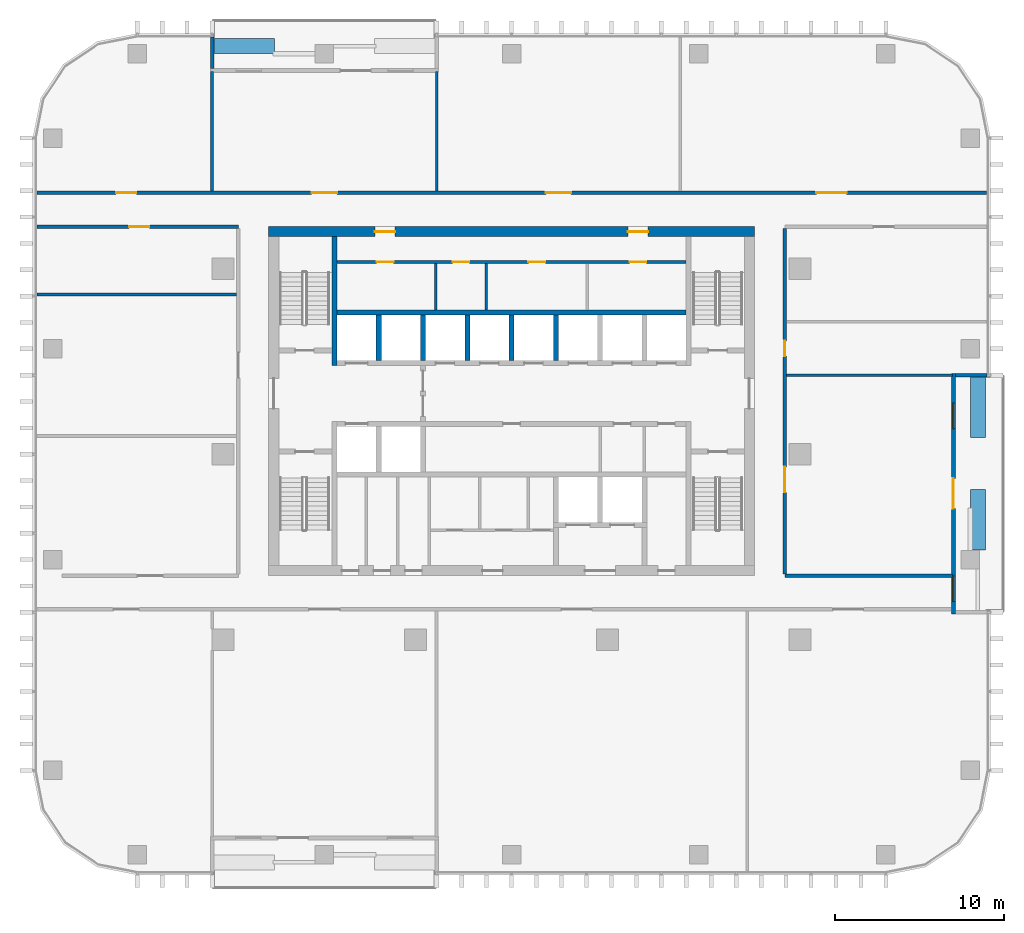
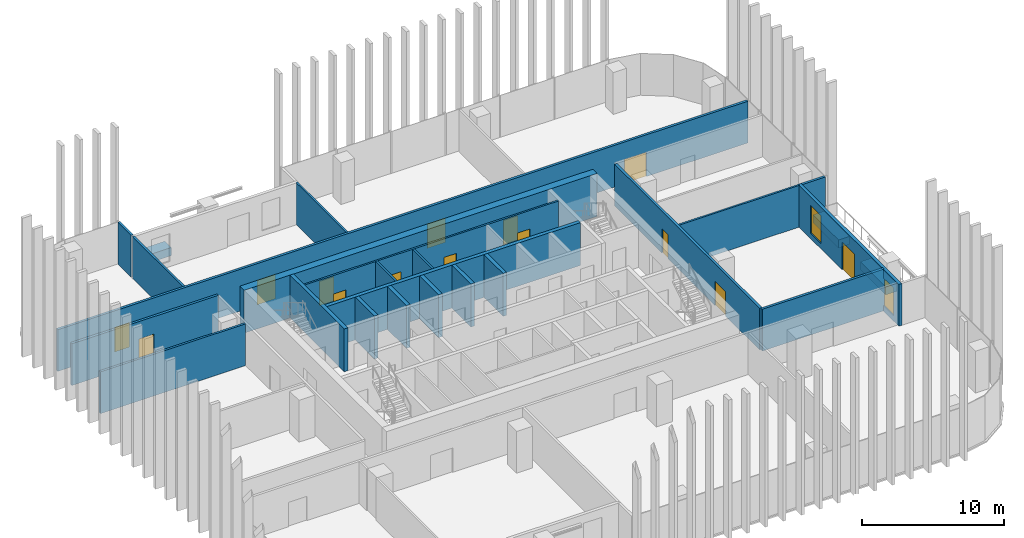
# One storey, part 9 of 15: 25 walls, 14 doors, 2 windows, 16 openings.
"""IFC4 building model written with IfcOpenShell, lengths in metres."""

from ifc_helpers import new_model, si_unit, direction, frame, frame_2d, origin, place, context, subcontext, project, spatial, rectangle, extrude, material, layer, layer_set, type_object, element, fill, save


model = new_model("IFC4")

# Units and contexts
model_context = context("Model", 3, precision=1e-05, world=origin(), true_north=direction((0.0, 1.0)))
body_context = subcontext(model_context, "Body", "Model", "MODEL_VIEW")
ifc_project = project(units=[si_unit("LENGTHUNIT", "METRE"), si_unit("AREAUNIT", "SQUARE_METRE"), si_unit("VOLUMEUNIT", "CUBIC_METRE"), si_unit("PLANEANGLEUNIT", "RADIAN"), si_unit("MASSUNIT", "GRAM", prefix="KILO")], contexts=[model_context])

# Site, building, storey
site_placement = place(None, origin())
site = spatial("IfcSite", under=ifc_project, at=site_placement, CompositionType="ELEMENT")
building_placement = place(site_placement, origin())
building = spatial("IfcBuilding", under=site, at=building_placement, Name="Mopane Tessera Tower", CompositionType="ELEMENT")
storey_placement = place(building_placement, frame((0.0, 0.0, 223.0)))
storey = spatial("IfcBuildingStorey", under=building, at=storey_placement, Name="L47", CompositionType="ELEMENT", Elevation=223.0)

# Walls
ifc_material_1 = material(Name="Fire-rated gypsum board partition")
ifc_layer_1 = layer(ifc_material_1, 0.14990234375)
ifc_layer_set_1 = layer_set([ifc_layer_1], Name="Fire-rated gypsum board partition")
wall_type_1 = type_object("IfcWallType", Name="Core room partition 150 mm", PredefinedType="PARTITIONING", material=ifc_layer_set_1)
for number, where, z_axis, x_axis, name in (
    (1, (-4.5, 8.550048828125, 0.0), (0.0, 0.0, 1.0), (0.0, 1.0, 0.0), "L47 Room partition"),
    (2, (-1.5, 8.550048828125, 0.0), (0.0, 0.0, 1.0), (0.0, 1.0, 0.0), "L47 Room partition"),
):
    element("IfcWall", number, at=place(storey_placement, frame(where, z_axis=z_axis, x_axis=x_axis)), inside=storey, type_object=wall_type_1, Name=name, PredefinedType="PARTITIONING", context=body_context, shape_type="SweptSolid", body=[
        extrude(rectangle(XDim=2.77490234375, YDim=0.14990234375, at=frame_2d((1.387451171875, 0.0))), origin(), (0.0, 0.0, 1.0), 3.699951171875),
    ])

# Wall, openings, doors
wall_1_placement = place(storey_placement, frame((-10.35009765625, 11.39990234375, 0.0), z_axis=(0.0, 0.0, 1.0), x_axis=(1.0, 0.0, 0.0)))
wall_1 = element("IfcWall", 3, at=wall_1_placement, inside=storey, type_object=wall_type_1, Name="L47 Corridor wall", PredefinedType="PARTITIONING", context=body_context, shape_type="SweptSolid", body=[
    extrude(rectangle(XDim=20.7001953125, YDim=0.14990234375, at=frame_2d((10.35009765625, 0.0))), origin(), (0.0, 0.0, 1.0), 3.699951171875),
])
opening_1_placement = place(wall_1_placement, frame((2.35009765625, 0.0, 0.0)))
opening_1 = element("IfcOpeningElement", 4, at=opening_1_placement, cuts=wall_1, Name="Opening RD1", PredefinedType="OPENING", context=body_context, shape_type="SweptSolid", body=[
    extrude(rectangle(XDim=1.0, YDim=2.10009765625, at=frame_2d((0.5, 1.050048828125))), frame((0.0, 0.0869140625, 0.0), z_axis=(0.0, -1.0, 0.0), x_axis=(1.0, 0.0, 0.0)), (0.0, 0.0, 1.0), 0.173828125),
])
opening_2_placement = place(wall_1_placement, frame((6.85009765625, 0.0, 0.0)))
opening_2 = element("IfcOpeningElement", 5, at=opening_2_placement, cuts=wall_1, Name="Opening RD1", PredefinedType="OPENING", context=body_context, shape_type="SweptSolid", body=[
    extrude(rectangle(XDim=1.0, YDim=2.10009765625, at=frame_2d((0.5, 1.050048828125))), frame((0.0, 0.0869140625, 0.0), z_axis=(0.0, -1.0, 0.0), x_axis=(1.0, 0.0, 0.0)), (0.0, 0.0, 1.0), 0.173828125),
])
opening_3_placement = place(wall_1_placement, frame((11.35009765625, 0.0, 0.0)))
opening_3 = element("IfcOpeningElement", 6, at=opening_3_placement, cuts=wall_1, Name="Opening RD1", PredefinedType="OPENING", context=body_context, shape_type="SweptSolid", body=[
    extrude(rectangle(XDim=1.0, YDim=2.10009765625, at=frame_2d((0.5, 1.050048828125))), frame((0.0, 0.0869140625, 0.0), z_axis=(0.0, -1.0, 0.0), x_axis=(1.0, 0.0, 0.0)), (0.0, 0.0, 1.0), 0.173828125),
])
opening_4_placement = place(wall_1_placement, frame((17.35009765625, 0.0, 0.0)))
opening_4 = element("IfcOpeningElement", 7, at=opening_4_placement, cuts=wall_1, Name="Opening RD1", PredefinedType="OPENING", context=body_context, shape_type="SweptSolid", body=[
    extrude(rectangle(XDim=1.0, YDim=2.10009765625, at=frame_2d((0.5, 1.050048828125))), frame((0.0, 0.0869140625, 0.0), z_axis=(0.0, -1.0, 0.0), x_axis=(1.0, 0.0, 0.0)), (0.0, 0.0, 1.0), 0.173828125),
])
ifc_material_2 = material(Name="Timber door", Category="wood")
door_type_1 = type_object("IfcDoorType", Name="Core room door 1000 x 2100", OperationType="SINGLE_SWING_LEFT", PredefinedType="DOOR", material=ifc_material_2)
door_1_placement = place(opening_1_placement, origin())
door_1 = element("IfcDoor", 8, at=door_1_placement, inside=storey, type_object=door_type_1, Name="L47 Room door", OperationType="SINGLE_SWING_LEFT", OverallHeight=2.10009765625, OverallWidth=1.0, PredefinedType="DOOR", context=body_context, shape_type="SweptSolid", body=[
    extrude(rectangle(XDim=1.0, YDim=2.10009765625, at=frame_2d((0.5, 1.050048828125))), frame((0.0, 0.02490234375, 0.0), z_axis=(0.0, -1.0, 0.0), x_axis=(1.0, 0.0, 0.0)), (0.0, 0.0, 1.0), 0.050048828125),
])
fill(opening_1, door_1)
door_2_placement = place(opening_2_placement, origin())
door_2 = element("IfcDoor", 9, at=door_2_placement, inside=storey, type_object=door_type_1, Name="L47 Room door", OperationType="SINGLE_SWING_LEFT", OverallHeight=2.10009765625, OverallWidth=1.0, PredefinedType="DOOR", context=body_context, shape_type="SweptSolid", body=[
    extrude(rectangle(XDim=1.0, YDim=2.10009765625, at=frame_2d((0.5, 1.050048828125))), frame((0.0, 0.02490234375, 0.0), z_axis=(0.0, -1.0, 0.0), x_axis=(1.0, 0.0, 0.0)), (0.0, 0.0, 1.0), 0.050048828125),
])
fill(opening_2, door_2)
door_3_placement = place(opening_3_placement, origin())
door_3 = element("IfcDoor", 10, at=door_3_placement, inside=storey, type_object=door_type_1, Name="L47 Room door", OperationType="SINGLE_SWING_LEFT", OverallHeight=2.10009765625, OverallWidth=1.0, PredefinedType="DOOR", context=body_context, shape_type="SweptSolid", body=[
    extrude(rectangle(XDim=1.0, YDim=2.10009765625, at=frame_2d((0.5, 1.050048828125))), frame((0.0, 0.02490234375, 0.0), z_axis=(0.0, -1.0, 0.0), x_axis=(1.0, 0.0, 0.0)), (0.0, 0.0, 1.0), 0.050048828125),
])
fill(opening_3, door_3)
door_4_placement = place(opening_4_placement, origin())
door_4 = element("IfcDoor", 11, at=door_4_placement, inside=storey, type_object=door_type_1, Name="L47 Room door", OperationType="SINGLE_SWING_LEFT", OverallHeight=2.10009765625, OverallWidth=1.0, PredefinedType="DOOR", context=body_context, shape_type="SweptSolid", body=[
    extrude(rectangle(XDim=1.0, YDim=2.10009765625, at=frame_2d((0.5, 1.050048828125))), frame((0.0, 0.02490234375, 0.0), z_axis=(0.0, -1.0, 0.0), x_axis=(1.0, 0.0, 0.0)), (0.0, 0.0, 1.0), 0.050048828125),
])
fill(opening_4, door_4)

ifc_material_3 = material(Name="Concrete C70/85", Category="concrete")
ifc_layer_2 = layer(ifc_material_3, 0.60009765625)
ifc_layer_set_2 = layer_set([ifc_layer_2], Name="Concrete C70/85")
wall_type_2 = type_object("IfcWallType", Name="Core shear wall 600 mm", PredefinedType="SHEAR", material=ifc_layer_set_2)
wall_2_placement = place(storey_placement, frame((-14.39990234375, 13.199951171875, 0.0), z_axis=(0.0, 0.0, 1.0), x_axis=(1.0, 0.0, 0.0)))
wall_2 = element("IfcWall", 12, at=wall_2_placement, inside=storey, type_object=wall_type_2, Name="L47 Core wall north", PredefinedType="SHEAR", context=body_context, shape_type="SweptSolid", body=[
    extrude(rectangle(XDim=28.7998046875, YDim=0.60009765625, at=frame_2d((14.39990234375, 0.0))), origin(), (0.0, 0.0, 1.0), 3.699951171875),
])
opening_5_placement = place(wall_2_placement, frame((6.300048828125, 0.0, 0.0)))
opening_5 = element("IfcOpeningElement", 13, at=opening_5_placement, cuts=wall_2, Name="Opening RD2", PredefinedType="OPENING", context=body_context, shape_type="SweptSolid", body=[
    extrude(rectangle(XDim=1.199951171875, YDim=2.10009765625, at=frame_2d((0.60009765625, 1.050048828125))), frame((0.0, 0.31201171875, 0.0), z_axis=(0.0, -1.0, 0.0), x_axis=(1.0, 0.0, 0.0)), (0.0, 0.0, 1.0), 0.6240234375),
])
opening_6_placement = place(wall_2_placement, frame((21.300048828125, 0.0, 0.0)))
opening_6 = element("IfcOpeningElement", 14, at=opening_6_placement, cuts=wall_2, Name="Opening RD2", PredefinedType="OPENING", context=body_context, shape_type="SweptSolid", body=[
    extrude(rectangle(XDim=1.199951171875, YDim=2.10009765625, at=frame_2d((0.60009765625, 1.050048828125))), frame((0.0, 0.31201171875, 0.0), z_axis=(0.0, -1.0, 0.0), x_axis=(1.0, 0.0, 0.0)), (0.0, 0.0, 1.0), 0.6240234375),
])
ifc_material_4 = material(Name="Timber door", Category="wood")
door_type_2 = type_object("IfcDoorType", Name="Core corridor door 1200 x 2100", OperationType="SINGLE_SWING_LEFT", PredefinedType="DOOR", material=ifc_material_4)
door_5_placement = place(opening_5_placement, origin())
door_5 = element("IfcDoor", 15, at=door_5_placement, inside=storey, type_object=door_type_2, Name="L47 Corridor door", OperationType="SINGLE_SWING_LEFT", OverallHeight=2.10009765625, OverallWidth=1.199951171875, PredefinedType="DOOR", context=body_context, shape_type="SweptSolid", body=[
    extrude(rectangle(XDim=1.199951171875, YDim=2.10009765625, at=frame_2d((0.60009765625, 1.050048828125))), frame((0.0, 0.02490234375, 0.0), z_axis=(0.0, -1.0, 0.0), x_axis=(1.0, 0.0, 0.0)), (0.0, 0.0, 1.0), 0.050048828125),
])
fill(opening_5, door_5)
door_6_placement = place(opening_6_placement, origin())
door_6 = element("IfcDoor", 16, at=door_6_placement, inside=storey, type_object=door_type_2, Name="L47 Corridor door", OperationType="SINGLE_SWING_RIGHT", OverallHeight=2.10009765625, OverallWidth=1.199951171875, PredefinedType="DOOR", context=body_context, shape_type="SweptSolid", body=[
    extrude(rectangle(XDim=1.199951171875, YDim=2.10009765625, at=frame_2d((0.60009765625, 1.050048828125))), frame((0.0, 0.02490234375, 0.0), z_axis=(0.0, -1.0, 0.0), x_axis=(1.0, 0.0, 0.0)), (0.0, 0.0, 1.0), 0.050048828125),
])
fill(opening_6, door_6)

# Walls
ifc_material_5 = material(Name="Concrete C60/75", Category="concrete")
ifc_layer_3 = layer(ifc_material_5, 0.300048828125)
ifc_layer_set_3 = layer_set([ifc_layer_3], Name="Concrete C60/75")
wall_type_3 = type_object("IfcWallType", Name="Core spine wall 300 mm", PredefinedType="SHEAR", material=ifc_layer_set_3)
wall_3_placement = place(storey_placement, frame((-10.5, 5.25, 0.0), z_axis=(0.0, 0.0, 1.0), x_axis=(0.0, 1.0, 0.0)))
element("IfcWall", 17, at=wall_3_placement, inside=storey, type_object=wall_type_3, Name="L47 Core spine wall", PredefinedType="SHEAR", context=body_context, shape_type="SweptSolid", body=[
    extrude(rectangle(XDim=7.64990234375, YDim=0.300048828125, at=frame_2d((3.824951171875, 0.0))), origin(), (0.0, 0.0, 1.0), 3.699951171875),
])
ifc_material_6 = material(Name="Gypsum board on staggered steel studs, double layer each face, acoustic mineral wool infill", Category="steel")
ifc_layer_4 = layer(ifc_material_6, 0.175048828125)
ifc_layer_set_4 = layer_set([ifc_layer_4], Name="Gypsum board on staggered steel studs, double layer each face, acoustic mineral wool infill")
wall_type_4 = type_object("IfcWallType", Name="Gypsum board acoustic partition 175, rated EI 60", PredefinedType="PARTITIONING", material=ifc_layer_set_4)
wall_4_placement = place(storey_placement, frame((-28.14990234375, 9.485107421875, 0.0), z_axis=(0.0, 0.0, 1.0), x_axis=(1.0, 0.0, 0.0)))
element("IfcWall", 18, at=wall_4_placement, inside=storey, type_object=wall_type_4, Name="Partition L47:006", PredefinedType="PARTITIONING", context=body_context, shape_type="SweptSolid", body=[
    extrude(rectangle(XDim=11.849853515625, YDim=0.175048828125, at=frame_2d((5.9248046875, 0.0))), origin(), (0.0, 0.0, 1.0), 3.60009765625),
])
wall_5_placement = place(storey_placement, frame((-17.760009765625, 15.60009765625, 0.0), z_axis=(0.0, 0.0, 1.0), x_axis=(0.0, 1.0, 0.0)))
element("IfcWall", 19, at=wall_5_placement, inside=storey, type_object=wall_type_4, Name="Partition L47:012", PredefinedType="PARTITIONING", context=body_context, shape_type="SweptSolid", body=[
    extrude(rectangle(XDim=7.099853515625, YDim=0.175048828125, at=frame_2d((3.5498046875, 0.0))), origin(), (0.0, 0.0, 1.0), 3.60009765625),
])
ifc_material_7 = material(Name="Gypsum board on steel studs, two layers each face, mineral wool infill", Category="steel")
ifc_layer_5 = layer(ifc_material_7, 0.199951171875)
ifc_layer_set_5 = layer_set([ifc_layer_5], Name="Gypsum board on steel studs, two layers each face, mineral wool infill")
wall_type_5 = type_object("IfcWallType", Name="Gypsum board corridor wall 200, rated EI 60", PredefinedType="PARTITIONING", material=ifc_layer_set_5)
wall_6_placement = place(storey_placement, frame((16.199951171875, -7.199951171875, 0.0), z_axis=(0.0, 0.0, 1.0), x_axis=(1.0, 0.0, 0.0)))
element("IfcWall", 20, at=wall_6_placement, inside=storey, type_object=wall_type_5, Name="Partition L47:002", PredefinedType="PARTITIONING", context=body_context, shape_type="SweptSolid", body=[
    extrude(rectangle(XDim=9.949951171875, YDim=0.199951171875, at=frame_2d((4.97509765625, 0.0))), origin(), (0.0, 0.0, 1.0), 3.60009765625),
])

# Wall, opening, door
wall_7_placement = place(storey_placement, frame((-28.14990234375, 13.5, 0.0), z_axis=(0.0, 0.0, 1.0), x_axis=(1.0, 0.0, 0.0)))
wall_7 = element("IfcWall", 21, at=wall_7_placement, inside=storey, type_object=wall_type_5, Name="Partition L47:007", PredefinedType="PARTITIONING", context=body_context, shape_type="SweptSolid", body=[
    extrude(rectangle(XDim=11.949951171875, YDim=0.199951171875, at=frame_2d((5.97509765625, 0.0))), origin(), (0.0, 0.0, 1.0), 3.60009765625),
])
opening_7_placement = place(wall_7_placement, frame((5.47509765625, 0.0, 0.0)))
opening_7 = element("IfcOpeningElement", 22, at=opening_7_placement, cuts=wall_7, Name="Opening L47-01", PredefinedType="OPENING", context=body_context, shape_type="SweptSolid", body=[
    extrude(rectangle(XDim=1.199951171875, YDim=2.10009765625, at=frame_2d((0.60009765625, 1.050048828125))), frame((0.0, 0.112060546875, 0.0), z_axis=(0.0, -1.0, 0.0), x_axis=(1.0, 0.0, 0.0)), (0.0, 0.0, 1.0), 0.223876953125),
])
ifc_material_8 = material(Name="Timber veneered steel-framed fire door", Category="steel")
door_type_3 = type_object("IfcDoorType", Name="Fire door FD60 1200 x 2100", OperationType="SINGLE_SWING_LEFT", PredefinedType="DOOR", material=ifc_material_8)
door_7_placement = place(opening_7_placement, origin())
door_7 = element("IfcDoor", 23, at=door_7_placement, inside=storey, type_object=door_type_3, Name="Door L47-01", ObjectType="D15A", OperationType="SINGLE_SWING_LEFT", OverallHeight=2.10009765625, OverallWidth=1.199951171875, PredefinedType="DOOR", context=body_context, shape_type="SweptSolid", body=[
    extrude(rectangle(XDim=1.199951171875, YDim=2.10009765625, at=frame_2d((0.60009765625, 1.050048828125))), frame((0.0, 0.02490234375, 0.0), z_axis=(0.0, -1.0, 0.0), x_axis=(1.0, 0.0, 0.0)), (0.0, 0.0, 1.0), 0.050048828125),
])
fill(opening_7, door_7)

# Wall, openings, doors
wall_8_placement = place(storey_placement, frame((-28.14990234375, 15.5, 0.0), z_axis=(0.0, 0.0, 1.0), x_axis=(1.0, 0.0, 0.0)))
wall_8 = element("IfcWall", 24, at=wall_8_placement, inside=storey, type_object=wall_type_5, Name="Partition L47:009", PredefinedType="PARTITIONING", context=body_context, shape_type="SweptSolid", body=[
    extrude(rectangle(XDim=56.2998046875, YDim=0.199951171875, at=frame_2d((28.14990234375, 0.0))), origin(), (0.0, 0.0, 1.0), 3.60009765625),
])
opening_8_placement = place(wall_8_placement, frame((16.300048828125, 0.0, 0.0)))
opening_8 = element("IfcOpeningElement", 25, at=opening_8_placement, cuts=wall_8, Name="Opening L47-04", PredefinedType="OPENING", context=body_context, shape_type="SweptSolid", body=[
    extrude(rectangle(XDim=1.5, YDim=2.10009765625, at=frame_2d((0.75, 1.050048828125))), frame((0.0, 0.112060546875, 0.0), z_axis=(0.0, -1.0, 0.0), x_axis=(1.0, 0.0, 0.0)), (0.0, 0.0, 1.0), 0.223876953125),
])
opening_9_placement = place(wall_8_placement, frame((46.22509765625, 0.0, 0.0)))
opening_9 = element("IfcOpeningElement", 26, at=opening_9_placement, cuts=wall_8, Name="Opening L47-06", PredefinedType="OPENING", context=body_context, shape_type="SweptSolid", body=[
    extrude(rectangle(XDim=1.800048828125, YDim=2.10009765625, at=frame_2d((0.89990234375, 1.050048828125))), frame((0.0, 0.112060546875, 0.0), z_axis=(0.0, -1.0, 0.0), x_axis=(1.0, 0.0, 0.0)), (0.0, 0.0, 1.0), 0.223876953125),
])
opening_10_placement = place(wall_8_placement, frame((30.179931640625, 0.0, 0.0)))
opening_10 = element("IfcOpeningElement", 27, at=opening_10_placement, cuts=wall_8, Name="Opening L47-10", PredefinedType="OPENING", context=body_context, shape_type="SweptSolid", body=[
    extrude(rectangle(XDim=1.5, YDim=2.10009765625, at=frame_2d((0.75, 1.050048828125))), frame((0.0, 0.112060546875, 0.0), z_axis=(0.0, -1.0, 0.0), x_axis=(1.0, 0.0, 0.0)), (0.0, 0.0, 1.0), 0.223876953125),
])
opening_11_placement = place(wall_8_placement, frame((4.695068359375, 0.0, 0.0)))
opening_11 = element("IfcOpeningElement", 28, at=opening_11_placement, cuts=wall_8, Name="Opening L47-12", PredefinedType="OPENING", context=body_context, shape_type="SweptSolid", body=[
    extrude(rectangle(XDim=1.199951171875, YDim=2.10009765625, at=frame_2d((0.60009765625, 1.050048828125))), frame((0.0, 0.112060546875, 0.0), z_axis=(0.0, -1.0, 0.0), x_axis=(1.0, 0.0, 0.0)), (0.0, 0.0, 1.0), 0.223876953125),
])
door_8_placement = place(opening_11_placement, origin())
door_8 = element("IfcDoor", 29, at=door_8_placement, inside=storey, type_object=door_type_3, Name="Door L47-12", ObjectType="D15A", OperationType="SINGLE_SWING_LEFT", OverallHeight=2.10009765625, OverallWidth=1.199951171875, PredefinedType="DOOR", context=body_context, shape_type="SweptSolid", body=[
    extrude(rectangle(XDim=1.199951171875, YDim=2.10009765625, at=frame_2d((0.60009765625, 1.050048828125))), frame((0.0, 0.02490234375, 0.0), z_axis=(0.0, -1.0, 0.0), x_axis=(1.0, 0.0, 0.0)), (0.0, 0.0, 1.0), 0.050048828125),
])
fill(opening_11, door_8)
ifc_material_9 = material(Name="Timber veneered steel-framed fire door", Category="steel")
door_type_4 = type_object("IfcDoorType", Name="Fire door pair FD60 1500 x 2100", OperationType="DOUBLE_DOOR_SINGLE_SWING", PredefinedType="DOOR", material=ifc_material_9)
door_9_placement = place(opening_8_placement, origin())
door_9 = element("IfcDoor", 30, at=door_9_placement, inside=storey, type_object=door_type_4, Name="Door L47-04", ObjectType="D17A", OperationType="DOUBLE_DOOR_SINGLE_SWING", OverallHeight=2.10009765625, OverallWidth=1.5, PredefinedType="DOOR", context=body_context, shape_type="SweptSolid", body=[
    extrude(rectangle(XDim=1.5, YDim=2.10009765625, at=frame_2d((0.75, 1.050048828125))), frame((0.0, 0.02490234375, 0.0), z_axis=(0.0, -1.0, 0.0), x_axis=(1.0, 0.0, 0.0)), (0.0, 0.0, 1.0), 0.050048828125),
])
fill(opening_8, door_9)
door_10_placement = place(opening_10_placement, origin())
door_10 = element("IfcDoor", 31, at=door_10_placement, inside=storey, type_object=door_type_4, Name="Door L47-10", ObjectType="D17A", OperationType="DOUBLE_DOOR_SINGLE_SWING", OverallHeight=2.10009765625, OverallWidth=1.5, PredefinedType="DOOR", context=body_context, shape_type="SweptSolid", body=[
    extrude(rectangle(XDim=1.5, YDim=2.10009765625, at=frame_2d((0.75, 1.050048828125))), frame((0.0, 0.02490234375, 0.0), z_axis=(0.0, -1.0, 0.0), x_axis=(1.0, 0.0, 0.0)), (0.0, 0.0, 1.0), 0.050048828125),
])
fill(opening_10, door_10)
ifc_material_10 = material(Name="Timber veneered steel-framed fire door", Category="steel")
door_type_5 = type_object("IfcDoorType", Name="Fire door pair FD60 1800 x 2100", OperationType="DOUBLE_DOOR_SINGLE_SWING", PredefinedType="DOOR", material=ifc_material_10)
door_11_placement = place(opening_9_placement, origin())
door_11 = element("IfcDoor", 32, at=door_11_placement, inside=storey, type_object=door_type_5, Name="Door L47-06", ObjectType="D20A", OperationType="DOUBLE_DOOR_SINGLE_SWING", OverallHeight=2.10009765625, OverallWidth=1.800048828125, PredefinedType="DOOR", context=body_context, shape_type="SweptSolid", body=[
    extrude(rectangle(XDim=1.800048828125, YDim=2.10009765625, at=frame_2d((0.89990234375, 1.050048828125))), frame((0.0, 0.02490234375, 0.0), z_axis=(0.0, -1.0, 0.0), x_axis=(1.0, 0.0, 0.0)), (0.0, 0.0, 1.0), 0.050048828125),
])
fill(opening_9, door_11)

wall_9_placement = place(storey_placement, frame((16.199951171875, -7.10009765625, 0.0), z_axis=(0.0, 0.0, 1.0), x_axis=(0.0, 1.0, 0.0)))
wall_9 = element("IfcWall", 33, at=wall_9_placement, inside=storey, type_object=wall_type_5, Name="Partition L47:018", PredefinedType="PARTITIONING", context=body_context, shape_type="SweptSolid", body=[
    extrude(rectangle(XDim=20.5, YDim=0.199951171875, at=frame_2d((10.25, 0.0))), origin(), (0.0, 0.0, 1.0), 3.60009765625),
])
opening_12_placement = place(wall_9_placement, frame((4.844970703125, 0.0, 0.0)))
opening_12 = element("IfcOpeningElement", 34, at=opening_12_placement, cuts=wall_9, Name="Opening L47-05", PredefinedType="OPENING", context=body_context, shape_type="SweptSolid", body=[
    extrude(rectangle(XDim=1.5, YDim=2.10009765625, at=frame_2d((0.75, 1.050048828125))), frame((0.0, 0.112060546875, 0.0), z_axis=(0.0, -1.0, 0.0), x_axis=(1.0, 0.0, 0.0)), (0.0, 0.0, 1.0), 0.223876953125),
])
opening_13_placement = place(wall_9_placement, frame((12.922607421875, 0.0, 0.0)))
opening_13 = element("IfcOpeningElement", 35, at=opening_13_placement, cuts=wall_9, Name="Opening L47-11", PredefinedType="OPENING", context=body_context, shape_type="SweptSolid", body=[
    extrude(rectangle(XDim=0.89990234375, YDim=2.10009765625, at=frame_2d((0.449951171875, 1.050048828125))), frame((0.0, 0.112060546875, 0.0), z_axis=(0.0, -1.0, 0.0), x_axis=(1.0, 0.0, 0.0)), (0.0, 0.0, 1.0), 0.223876953125),
])
ifc_material_11 = material(Name="Timber veneered steel-framed fire door", Category="steel")
door_type_6 = type_object("IfcDoorType", Name="Fire door FD60 900 x 2100", OperationType="SINGLE_SWING_LEFT", PredefinedType="DOOR", material=ifc_material_11)
door_12_placement = place(opening_13_placement, origin())
door_12 = element("IfcDoor", 36, at=door_12_placement, inside=storey, type_object=door_type_6, Name="Door L47-11", ObjectType="D10A", OperationType="SINGLE_SWING_LEFT", OverallHeight=2.10009765625, OverallWidth=0.89990234375, PredefinedType="DOOR", context=body_context, shape_type="SweptSolid", body=[
    extrude(rectangle(XDim=0.89990234375, YDim=2.10009765625, at=frame_2d((0.449951171875, 1.050048828125))), frame((0.0, 0.02490234375, 0.0), z_axis=(0.0, -1.0, 0.0), x_axis=(1.0, 0.0, 0.0)), (0.0, 0.0, 1.0), 0.050048828125),
])
fill(opening_13, door_12)
door_13_placement = place(opening_12_placement, origin())
door_13 = element("IfcDoor", 37, at=door_13_placement, inside=storey, type_object=door_type_4, Name="Door L47-05", ObjectType="D17A", OperationType="DOUBLE_DOOR_SINGLE_SWING", OverallHeight=2.10009765625, OverallWidth=1.5, PredefinedType="DOOR", context=body_context, shape_type="SweptSolid", body=[
    extrude(rectangle(XDim=1.5, YDim=2.10009765625, at=frame_2d((0.75, 1.050048828125))), frame((0.0, 0.02490234375, 0.0), z_axis=(0.0, -1.0, 0.0), x_axis=(1.0, 0.0, 0.0)), (0.0, 0.0, 1.0), 0.050048828125),
])
fill(opening_12, door_13)

# Walls
ifc_material_12 = material(Name="Gypsum board on steel studs, mineral wool infill", Category="steel")
ifc_layer_6 = layer(ifc_material_12, 0.14990234375)
ifc_layer_set_6 = layer_set([ifc_layer_6], Name="Gypsum board on steel studs, mineral wool infill")
wall_type_6 = type_object("IfcWallType", Name="Gypsum board partition 150, rated EI 60", PredefinedType="PARTITIONING", material=ifc_layer_set_6)
wall_10_placement = place(storey_placement, frame((16.300048828125, 4.68994140625, 0.0), z_axis=(0.0, 0.0, 1.0), x_axis=(1.0, 0.0, 0.0)))
element("IfcWall", 38, at=wall_10_placement, inside=storey, type_object=wall_type_6, Name="Partition L47:004", PredefinedType="PARTITIONING", context=body_context, shape_type="SweptSolid", body=[
    extrude(rectangle(XDim=9.849853515625, YDim=0.14990234375, at=frame_2d((4.9248046875, 0.0))), origin(), (0.0, 0.0, 1.0), 3.60009765625),
])
wall_11_placement = place(storey_placement, frame((-4.43994140625, 15.60009765625, 0.0), z_axis=(0.0, 0.0, 1.0), x_axis=(0.0, 1.0, 0.0)))
element("IfcWall", 39, at=wall_11_placement, inside=storey, type_object=wall_type_6, Name="Partition L47:014", PredefinedType="PARTITIONING", context=body_context, shape_type="SweptSolid", body=[
    extrude(rectangle(XDim=7.099853515625, YDim=0.14990234375, at=frame_2d((3.5498046875, 0.0))), origin(), (0.0, 0.0, 1.0), 3.60009765625),
])
ifc_material_13 = material(Name="Concrete C50/60", Category="concrete")
ifc_layer_7 = layer(ifc_material_13, 0.300048828125)
ifc_layer_set_7 = layer_set([ifc_layer_7], Name="Concrete C50/60")
wall_type_7 = type_object("IfcWallType", Name="Lift and stair shaft wall 300 mm", PredefinedType="SOLIDWALL", material=ifc_layer_set_7)
wall_12_placement = place(storey_placement, frame((-10.35009765625, 8.39990234375, 0.0), z_axis=(0.0, 0.0, 1.0), x_axis=(1.0, 0.0, 0.0)))
element("IfcWall", 40, at=wall_12_placement, inside=storey, type_object=wall_type_7, Name="L47 Lift shaft rear wall", PredefinedType="SOLIDWALL", context=body_context, shape_type="SweptSolid", body=[
    extrude(rectangle(XDim=20.7001953125, YDim=0.300048828125, at=frame_2d((10.35009765625, 0.0))), origin(), (0.0, 0.0, 1.0), 3.699951171875),
])
for number, where, z_axis, x_axis, name in (
    (41, (-7.875, 5.550048828125, 0.0), (0.0, 0.0, 1.0), (0.0, 1.0, 0.0), "L47 Lift shaft wall"),
    (42, (-5.25, 5.550048828125, 0.0), (0.0, 0.0, 1.0), (0.0, 1.0, 0.0), "L47 Lift shaft wall"),
    (43, (-2.625, 5.550048828125, 0.0), (0.0, 0.0, 1.0), (0.0, 1.0, 0.0), "L47 Lift shaft wall"),
    (44, (0.0, 5.550048828125, 0.0), (0.0, 0.0, 1.0), (0.0, 1.0, 0.0), "L47 Lift shaft wall"),
    (45, (2.625, 5.550048828125, 0.0), (0.0, 0.0, 1.0), (0.0, 1.0, 0.0), "L47 Lift shaft wall"),
):
    element("IfcWall", number, at=place(storey_placement, frame(where, z_axis=z_axis, x_axis=x_axis)), inside=storey, type_object=wall_type_7, Name=name, PredefinedType="SOLIDWALL", context=body_context, shape_type="SweptSolid", body=[
        extrude(rectangle(XDim=2.699951171875, YDim=0.300048828125, at=frame_2d((1.35009765625, 0.0))), origin(), (0.0, 0.0, 1.0), 3.699951171875),
    ])
ifc_material_14 = material(Name="Reinforced concrete C32/40 with waterproofing", Category="concrete")
ifc_layer_8 = layer(ifc_material_14, 0.89990234375)
ifc_layer_set_8 = layer_set([ifc_layer_8], Name="Reinforced concrete C32/40 with waterproofing")
wall_type_8 = type_object("IfcWallType", Name="Planter trough 3600 x 900", PredefinedType="STANDARD", material=ifc_layer_set_8)
for number, where, z_axis, x_axis, name in (
    (46, (27.64990234375, -5.679931640625, 0.0), (0.0, 0.0, 1.0), (0.0, 1.0, 0.0), "e:nw:L47:N2:pl0"),
    (47, (27.64990234375, 0.987548828125, 0.0), (0.0, 0.0, 1.0), (0.0, 1.0, 0.0), "e:nw:L47:N2:pl1"),
    (48, (-14.06005859375, 24.199951171875, 0.0), (0.0, 0.0, 1.0), (-1.0, 0.0, 0.0), "e:nw:L47:N3:pl1"),
):
    element("IfcWall", number, at=place(storey_placement, frame(where, z_axis=z_axis, x_axis=x_axis)), inside=storey, type_object=wall_type_8, Name=name, PredefinedType="STANDARD", context=body_context, shape_type="SweptSolid", body=[
        extrude(rectangle(XDim=3.599853515625, YDim=0.89990234375, at=frame_2d((1.7998046875, 0.0))), origin(), (0.0, 0.0, 1.0), 0.699951171875),
    ])
ifc_material_15 = material(Name="Blockwork with glazed tile facing", Category="masonry")
ifc_layer_9 = layer(ifc_material_15, 0.199951171875)
ifc_layer_set_9 = layer_set([ifc_layer_9], Name="Blockwork with glazed tile facing")
wall_type_9 = type_object("IfcWallType", Name="Terrace cheek wall 200", PredefinedType="STANDARD", material=ifc_layer_set_9)
for number, where, z_axis, x_axis, name in (
    (49, (28.199951171875, 4.6875, 0.0), (0.0, 0.0, 1.0), (-1.0, 0.0, 0.0), "e:nw:L47:N2:cheekb"),
    (50, (-17.760009765625, 24.75, 0.0), (0.0, 0.0, 1.0), (0.0, -1.0, 0.0), "e:nw:L47:N3:cheekb"),
):
    element("IfcWall", number, at=place(storey_placement, frame(where, z_axis=z_axis, x_axis=x_axis)), inside=storey, type_object=wall_type_9, Name=name, PredefinedType="STANDARD", context=body_context, shape_type="SweptSolid", body=[
        extrude(rectangle(XDim=1.875, YDim=0.199951171875, at=frame_2d((0.9375, 0.0))), origin(), (0.0, 0.0, 1.0), 3.60009765625),
    ])

# Wall, openings, windows, door
ifc_material_16 = material(Name="Blockwork with ultramarine glazed tile facing", Category="masonry")
ifc_layer_10 = layer(ifc_material_16, 0.25)
ifc_layer_set_10 = layer_set([ifc_layer_10], Name="Blockwork with ultramarine glazed tile facing")
wall_type_10 = type_object("IfcWallType", Name="Tile-clad external wall 250, ultramarine", PredefinedType="STANDARD", material=ifc_layer_set_10)
wall_13_placement = place(storey_placement, frame((26.199951171875, -9.47509765625, 0.0), z_axis=(0.0, 0.0, 1.0), x_axis=(0.0, 1.0, 0.0)))
wall_13 = element("IfcWall", 51, at=wall_13_placement, inside=storey, type_object=wall_type_10, Name="e:nw:L47:N2:back", PredefinedType="STANDARD", context=body_context, shape_type="SweptSolid", body=[
    extrude(rectangle(XDim=14.2626953125, YDim=0.25, at=frame_2d((7.13134765625, 0.0))), origin(), (0.0, 0.0, 1.0), 3.60009765625),
])
opening_14_placement = place(wall_13_placement, frame((0.75, 0.0, 0.449951171875)))
opening_14 = element("IfcOpeningElement", 52, at=opening_14_placement, cuts=wall_13, Name="Opening NW472A", PredefinedType="OPENING", context=body_context, shape_type="SweptSolid", body=[
    extrude(rectangle(XDim=1.5, YDim=2.39990234375, at=frame_2d((0.75, 1.199951171875))), frame((0.0, 0.136962890625, 0.0), z_axis=(0.0, -1.0, 0.0), x_axis=(1.0, 0.0, 0.0)), (0.0, 0.0, 1.0), 0.27392578125),
])
opening_15_placement = place(wall_13_placement, frame((6.25, 0.0, 0.0)))
opening_15 = element("IfcOpeningElement", 53, at=opening_15_placement, cuts=wall_13, Name="Opening ND472", PredefinedType="OPENING", context=body_context, shape_type="SweptSolid", body=[
    extrude(rectangle(XDim=1.800048828125, YDim=2.39990234375, at=frame_2d((0.89990234375, 1.199951171875))), frame((0.0, 0.136962890625, 0.0), z_axis=(0.0, -1.0, 0.0), x_axis=(1.0, 0.0, 0.0)), (0.0, 0.0, 1.0), 0.27392578125),
])
opening_16_placement = place(wall_13_placement, frame((11.0, 0.0, 0.449951171875)))
opening_16 = element("IfcOpeningElement", 54, at=opening_16_placement, cuts=wall_13, Name="Opening NW472B", PredefinedType="OPENING", context=body_context, shape_type="SweptSolid", body=[
    extrude(rectangle(XDim=1.5, YDim=2.39990234375, at=frame_2d((0.75, 1.199951171875))), frame((0.0, 0.136962890625, 0.0), z_axis=(0.0, -1.0, 0.0), x_axis=(1.0, 0.0, 0.0)), (0.0, 0.0, 1.0), 0.27392578125),
])
ifc_material_17 = material(Name="Clear laminated glass", Category="glass")
window_type = type_object("IfcWindowType", Name="Fixed window 1500 x 2400", PartitioningType="SINGLE_PANEL", PredefinedType="WINDOW", material=ifc_material_17)
window_1_placement = place(opening_14_placement, origin())
window_1 = element("IfcWindow", 55, at=window_1_placement, inside=storey, type_object=window_type, Name="e:nw:L47:N2:win0", OverallHeight=2.39990234375, OverallWidth=1.5, PartitioningType="SINGLE_PANEL", PredefinedType="WINDOW", context=body_context, shape_type="SweptSolid", body=[
    extrude(rectangle(XDim=1.5, YDim=2.39990234375, at=frame_2d((0.75, 1.199951171875))), frame((0.0, 0.030029296875, 0.0), z_axis=(0.0, -1.0, 0.0), x_axis=(1.0, 0.0, 0.0)), (0.0, 0.0, 1.0), 0.06005859375),
])
fill(opening_14, window_1)
window_2_placement = place(opening_16_placement, origin())
window_2 = element("IfcWindow", 56, at=window_2_placement, inside=storey, type_object=window_type, Name="e:nw:L47:N2:win2", OverallHeight=2.39990234375, OverallWidth=1.5, PartitioningType="SINGLE_PANEL", PredefinedType="WINDOW", context=body_context, shape_type="SweptSolid", body=[
    extrude(rectangle(XDim=1.5, YDim=2.39990234375, at=frame_2d((0.75, 1.199951171875))), frame((0.0, 0.030029296875, 0.0), z_axis=(0.0, -1.0, 0.0), x_axis=(1.0, 0.0, 0.0)), (0.0, 0.0, 1.0), 0.06005859375),
])
fill(opening_16, window_2)
ifc_material_18 = material(Name="Aluminium and clear glass", Category="aluminium")
door_type_7 = type_object("IfcDoorType", Name="Terrace double door 1800 x 2400", OperationType="DOUBLE_DOOR_SINGLE_SWING", PredefinedType="DOOR", material=ifc_material_18)
door_14_placement = place(opening_15_placement, origin())
door_14 = element("IfcDoor", 57, at=door_14_placement, inside=storey, type_object=door_type_7, Name="e:nw:L47:N2:door", ObjectType="D1", OperationType="DOUBLE_DOOR_SINGLE_SWING", OverallHeight=2.39990234375, OverallWidth=1.800048828125, PredefinedType="DOOR", context=body_context, shape_type="SweptSolid", body=[
    extrude(rectangle(XDim=1.800048828125, YDim=2.39990234375, at=frame_2d((0.89990234375, 1.199951171875))), frame((0.0, 0.02490234375, 0.0), z_axis=(0.0, -1.0, 0.0), x_axis=(1.0, 0.0, 0.0)), (0.0, 0.0, 1.0), 0.050048828125),
])
fill(opening_15, door_14)

save(model, "model.ifc")
